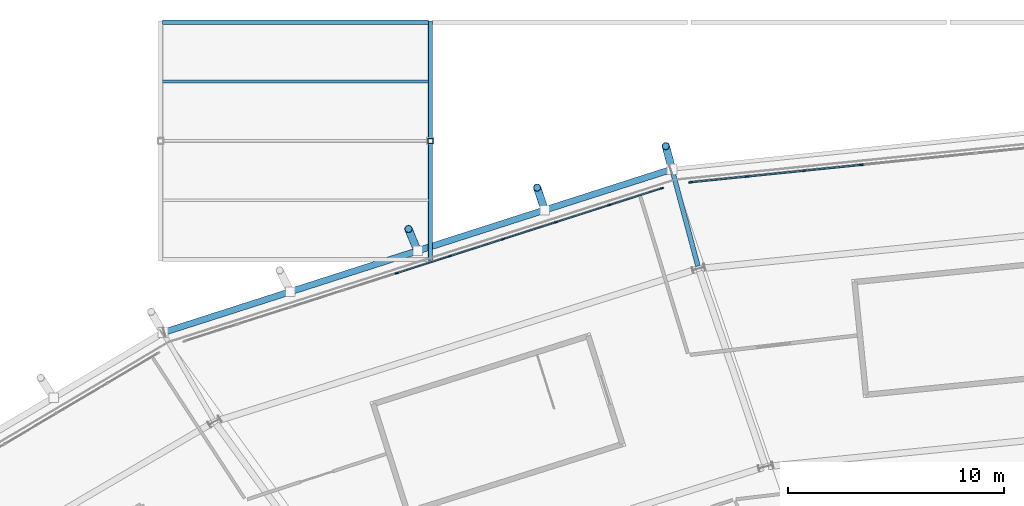
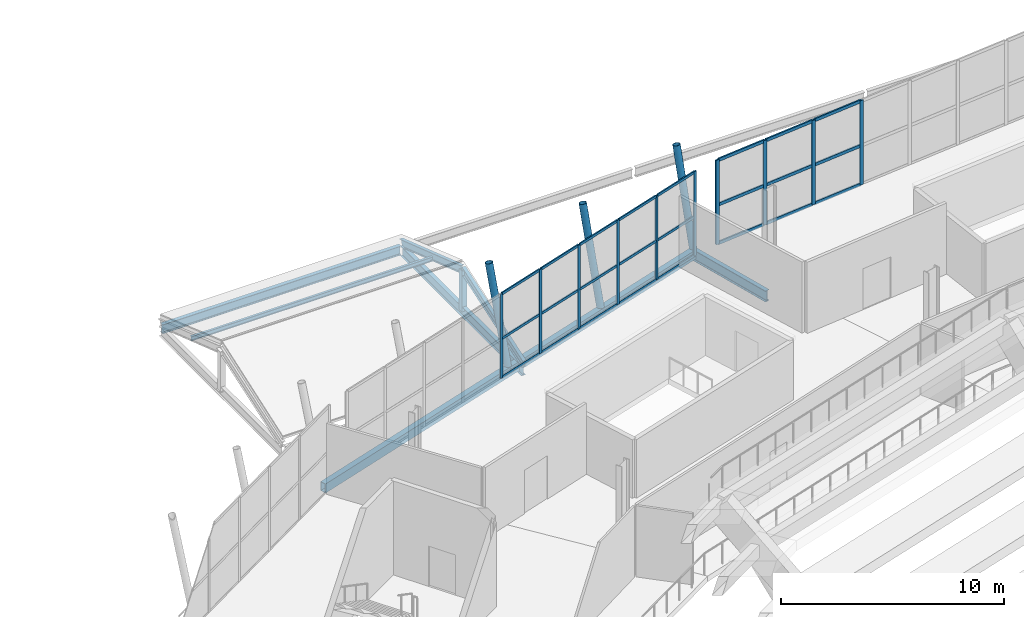
# One storey, part 52 of 126: 41 members, 4 beams, 2 elements without a shape of their own.
"""IFC4 building model written with IfcOpenShell, lengths in metres."""

from ifc_helpers import new_model, si_unit, direction, frame, origin, origin_2d, place, context, subcontext, project, spatial, rectangle, hollow_rectangle, hollow_circle, i_section, extrude, material, material_profile, profile_set, type_object, element, aggregate, save


model = new_model("IFC4")

# Units and contexts
model_context = context("Model", 3, precision=1e-05, world=origin(), true_north=direction((0.0, 1.0)))
body_context = subcontext(model_context, "Body", "Model", "MODEL_VIEW")
ifc_project = project(units=[si_unit("LENGTHUNIT", "METRE"), si_unit("AREAUNIT", "SQUARE_METRE"), si_unit("VOLUMEUNIT", "CUBIC_METRE"), si_unit("PLANEANGLEUNIT", "RADIAN"), si_unit("MASSUNIT", "GRAM", prefix="KILO")], contexts=[model_context])

# Site, building, storey
site_placement = place(None, origin())
site = spatial("IfcSite", under=ifc_project, at=site_placement, CompositionType="ELEMENT")
building_placement = place(site_placement, origin())
building = spatial("IfcBuilding", under=site, at=building_placement, Name="Zlatoyarsky Gate Stadium", CompositionType="ELEMENT")
storey_placement = place(building_placement, frame((0.0, 0.0, 20.800048828125)))
storey = spatial("IfcBuildingStorey", under=building, at=storey_placement, Name="L04", CompositionType="ELEMENT", Elevation=20.800048828125)

# Curtain wall, members
ifc_material_1 = material(Name="Thermally broken anodised aluminium curtain wall", Category="aluminium")
curtain_wall_type_1 = type_object("IfcCurtainWallType", Name="MONUMENTAL ARCHED GATE GLAZING LOWER", PredefinedType="USERDEFINED", material=ifc_material_1)
curtain_wall_1_placement = place(storey_placement, origin())
curtain_wall_1 = element("IfcCurtainWall", 1, at=curtain_wall_1_placement, inside=storey, type_object=curtain_wall_type_1, Name="Curtain wall CW-L04-06", ObjectType="ARCHED GATE GLAZING", PredefinedType="USERDEFINED")
ifc_material_2 = material(Name="Anodised aluminium 6063-T6", Category="aluminium")
ifc_material_profile_1 = material_profile(ifc_material_2, rectangle(XDim=0.074951171875, YDim=0.18994140625, at=origin_2d()), Name="ALU 75X190")
ifc_profile_set_1 = profile_set([ifc_material_profile_1], Name="Anodised aluminium 6063-T6")
member_type_1 = type_object("IfcMemberType", Name="ALUMINIUM GATE MULLION 75X190", PredefinedType="MULLION", material=ifc_profile_set_1)
member_1_placement = place(storey_placement, frame((94.466552734375, 153.38623046875, 0.0), z_axis=(0.0, 0.0, 1.0), x_axis=(0.10129293102, -0.994856644007, 0.0)))
member_1 = element("IfcMember", 2, at=member_1_placement, type_object=member_type_1, Name="CW-AG1 mullion 7", PredefinedType="MULLION", context=body_context, shape_type="SweptSolid", body=[
    extrude(rectangle(XDim=0.074951171875, YDim=0.18994140625, at=origin_2d()), origin(), (0.0, 0.0, 1.0), 4.619873046875),
])
member_2_placement = place(storey_placement, frame((91.81884765625, 153.11669921875, 0.0), z_axis=(0.0, 0.0, 1.0), x_axis=(0.10129293102, -0.994856644007, 0.0)))
member_2 = element("IfcMember", 3, at=member_2_placement, type_object=member_type_1, Name="CW-AG1 mullion 8", PredefinedType="MULLION", context=body_context, shape_type="SweptSolid", body=[
    extrude(rectangle(XDim=0.074951171875, YDim=0.18994140625, at=origin_2d()), origin(), (0.0, 0.0, 1.0), 4.619873046875),
])
member_3_placement = place(storey_placement, frame((89.1708984375, 152.84716796875, 0.0), z_axis=(0.0, 0.0, 1.0), x_axis=(0.10129293102, -0.994856644007, 0.0)))
member_3 = element("IfcMember", 4, at=member_3_placement, type_object=member_type_1, Name="CW-AG1 mullion 9", PredefinedType="MULLION", context=body_context, shape_type="SweptSolid", body=[
    extrude(rectangle(XDim=0.074951171875, YDim=0.18994140625, at=origin_2d()), origin(), (0.0, 0.0, 1.0), 4.619873046875),
])
member_4_placement = place(storey_placement, frame((86.560546875, 152.581298828125, 0.0), z_axis=(0.0, 0.0, 1.0), x_axis=(0.10129293102, -0.994856644007, 0.0)))
member_4 = element("IfcMember", 5, at=member_4_placement, type_object=member_type_1, Name="CW-AG1 mullion 10", PredefinedType="MULLION", context=body_context, shape_type="SweptSolid", body=[
    extrude(rectangle(XDim=0.074951171875, YDim=0.18994140625, at=origin_2d()), origin(), (0.0, 0.0, 1.0), 4.619873046875),
])
ifc_material_profile_2 = material_profile(ifc_material_2, rectangle(XDim=0.074951171875, YDim=0.169921875, at=origin_2d()), Name="ALU 75X170")
ifc_profile_set_2 = profile_set([ifc_material_profile_2], Name="Anodised aluminium 6063-T6")
member_type_2 = type_object("IfcMemberType", Name="ALUMINIUM GATE TRANSOM 75X170", PredefinedType="USERDEFINED", material=ifc_profile_set_2)
member_5_placement = place(storey_placement, frame((94.42919921875, 153.382568359375, 0.037353515625), z_axis=(-0.994847557941, -0.101382130869, 0.0), x_axis=(0.101382130869, -0.994847557941, 0.0)))
member_5 = element("IfcMember", 6, at=member_5_placement, type_object=member_type_2, Name="CW-AG1 transom 7.1", ObjectType="TRANSOM", PredefinedType="USERDEFINED", context=body_context, shape_type="SweptSolid", body=[
    extrude(rectangle(XDim=0.074951171875, YDim=0.169921875, at=origin_2d()), origin(), (0.0, 0.0, 1.0), 2.58642578125),
])
member_6_placement = place(storey_placement, frame((94.42919921875, 153.382568359375, 2.14990234375), z_axis=(-0.994847557941, -0.101382130869, 0.0), x_axis=(0.101382130869, -0.994847557941, 0.0)))
member_6 = element("IfcMember", 7, at=member_6_placement, type_object=member_type_2, Name="CW-AG1 transom 7.2", ObjectType="TRANSOM", PredefinedType="USERDEFINED", context=body_context, shape_type="SweptSolid", body=[
    extrude(rectangle(XDim=0.074951171875, YDim=0.169921875, at=origin_2d()), origin(), (0.0, 0.0, 1.0), 2.58642578125),
])
member_7_placement = place(storey_placement, frame((94.42919921875, 153.382568359375, 4.58251953125), z_axis=(-0.994847557941, -0.101382130869, 0.0), x_axis=(0.101382130869, -0.994847557941, 0.0)))
member_7 = element("IfcMember", 8, at=member_7_placement, type_object=member_type_2, Name="CW-AG1 transom 7.3", ObjectType="TRANSOM", PredefinedType="USERDEFINED", context=body_context, shape_type="SweptSolid", body=[
    extrude(rectangle(XDim=0.074951171875, YDim=0.169921875, at=origin_2d()), origin(), (0.0, 0.0, 1.0), 2.58642578125),
])
member_8_placement = place(storey_placement, frame((91.781494140625, 153.11279296875, 0.037353515625), z_axis=(-0.994858042808, -0.101279191644, 0.0), x_axis=(0.101279191644, -0.994858042808, 0.0)))
member_8 = element("IfcMember", 9, at=member_8_placement, type_object=member_type_2, Name="CW-AG1 transom 8.1", ObjectType="TRANSOM", PredefinedType="USERDEFINED", context=body_context, shape_type="SweptSolid", body=[
    extrude(rectangle(XDim=0.074951171875, YDim=0.169921875, at=origin_2d()), origin(), (0.0, 0.0, 1.0), 2.58642578125),
])
member_9_placement = place(storey_placement, frame((91.781494140625, 153.11279296875, 2.14990234375), z_axis=(-0.994858042808, -0.101279191644, 0.0), x_axis=(0.101279191644, -0.994858042808, 0.0)))
member_9 = element("IfcMember", 10, at=member_9_placement, type_object=member_type_2, Name="CW-AG1 transom 8.2", ObjectType="TRANSOM", PredefinedType="USERDEFINED", context=body_context, shape_type="SweptSolid", body=[
    extrude(rectangle(XDim=0.074951171875, YDim=0.169921875, at=origin_2d()), origin(), (0.0, 0.0, 1.0), 2.58642578125),
])
member_10_placement = place(storey_placement, frame((91.781494140625, 153.11279296875, 4.58251953125), z_axis=(-0.994858042808, -0.101279191644, 0.0), x_axis=(0.101279191644, -0.994858042808, 0.0)))
member_10 = element("IfcMember", 11, at=member_10_placement, type_object=member_type_2, Name="CW-AG1 transom 8.3", ObjectType="TRANSOM", PredefinedType="USERDEFINED", context=body_context, shape_type="SweptSolid", body=[
    extrude(rectangle(XDim=0.074951171875, YDim=0.169921875, at=origin_2d()), origin(), (0.0, 0.0, 1.0), 2.58642578125),
])
member_11_placement = place(storey_placement, frame((89.1337890625, 152.84326171875, 0.037353515625), z_axis=(-0.994862135716, -0.101238979248, 0.0), x_axis=(0.101238979248, -0.994862135716, 0.0)))
member_11 = element("IfcMember", 12, at=member_11_placement, type_object=member_type_2, Name="CW-AG1 transom 9.1", ObjectType="TRANSOM", PredefinedType="USERDEFINED", context=body_context, shape_type="SweptSolid", body=[
    extrude(rectangle(XDim=0.074951171875, YDim=0.169921875, at=origin_2d()), origin(), (0.0, 0.0, 1.0), 2.549072265625),
])
member_12_placement = place(storey_placement, frame((89.1337890625, 152.84326171875, 2.14990234375), z_axis=(-0.994862135716, -0.101238979248, 0.0), x_axis=(0.101238979248, -0.994862135716, 0.0)))
member_12 = element("IfcMember", 13, at=member_12_placement, type_object=member_type_2, Name="CW-AG1 transom 9.2", ObjectType="TRANSOM", PredefinedType="USERDEFINED", context=body_context, shape_type="SweptSolid", body=[
    extrude(rectangle(XDim=0.074951171875, YDim=0.169921875, at=origin_2d()), origin(), (0.0, 0.0, 1.0), 2.549072265625),
])
member_13_placement = place(storey_placement, frame((89.1337890625, 152.84326171875, 4.58251953125), z_axis=(-0.994862135716, -0.101238979248, 0.0), x_axis=(0.101238979248, -0.994862135716, 0.0)))
member_13 = element("IfcMember", 14, at=member_13_placement, type_object=member_type_2, Name="CW-AG1 transom 9.3", ObjectType="TRANSOM", PredefinedType="USERDEFINED", context=body_context, shape_type="SweptSolid", body=[
    extrude(rectangle(XDim=0.074951171875, YDim=0.169921875, at=origin_2d()), origin(), (0.0, 0.0, 1.0), 2.549072265625),
])
aggregate(curtain_wall_1, [member_1, member_2, member_3, member_4, member_5, member_6, member_7, member_8, member_9, member_10, member_11, member_12, member_13])

curtain_wall_type_2 = type_object("IfcCurtainWallType", Name="UNITISED MEDIA RING GLAZING L04", PredefinedType="USERDEFINED", material=ifc_material_1)
curtain_wall_2_placement = place(storey_placement, origin())
curtain_wall_2 = element("IfcCurtainWall", 15, at=curtain_wall_2_placement, inside=storey, type_object=curtain_wall_type_2, Name="Curtain wall CW-L04-07", ObjectType="UNITISED GLAZING", PredefinedType="USERDEFINED")
ifc_material_profile_3 = material_profile(ifc_material_2, rectangle(XDim=0.06494140625, YDim=0.159912109375, at=origin_2d()), Name="ALU 65X160")
ifc_profile_set_3 = profile_set([ifc_material_profile_3], Name="Anodised aluminium 6063-T6")
member_type_3 = type_object("IfcMemberType", Name="ALUMINIUM MULLION 65X160", PredefinedType="MULLION", material=ifc_profile_set_3)
member_14_placement = place(storey_placement, frame((85.2265625, 152.303466796875, 0.0), z_axis=(0.0, 0.0, 1.0), x_axis=(0.305065730928, -0.952331297298, 0.0)))
member_14 = element("IfcMember", 16, at=member_14_placement, type_object=member_type_3, Name="CW-UG4 mullion 1", PredefinedType="MULLION", context=body_context, shape_type="SweptSolid", body=[
    extrude(rectangle(XDim=0.06494140625, YDim=0.159912109375, at=origin_2d()), origin(), (0.0, 0.0, 1.0), 4.619873046875),
])
member_15_placement = place(storey_placement, frame((82.793701171875, 151.524169921875, 0.0), z_axis=(0.0, 0.0, 1.0), x_axis=(0.305065730928, -0.952331297298, 0.0)))
member_15 = element("IfcMember", 17, at=member_15_placement, type_object=member_type_3, Name="CW-UG4 mullion 2", PredefinedType="MULLION", context=body_context, shape_type="SweptSolid", body=[
    extrude(rectangle(XDim=0.06494140625, YDim=0.159912109375, at=origin_2d()), origin(), (0.0, 0.0, 1.0), 4.619873046875),
])
member_16_placement = place(storey_placement, frame((80.330078125, 150.73486328125, 0.0), z_axis=(0.0, 0.0, 1.0), x_axis=(0.305065730928, -0.952331297298, 0.0)))
member_16 = element("IfcMember", 18, at=member_16_placement, type_object=member_type_3, Name="CW-UG4 mullion 3", PredefinedType="MULLION", context=body_context, shape_type="SweptSolid", body=[
    extrude(rectangle(XDim=0.06494140625, YDim=0.159912109375, at=origin_2d()), origin(), (0.0, 0.0, 1.0), 4.619873046875),
])
member_17_placement = place(storey_placement, frame((77.866455078125, 149.94580078125, 0.0), z_axis=(0.0, 0.0, 1.0), x_axis=(0.305065730928, -0.952331297298, 0.0)))
member_17 = element("IfcMember", 19, at=member_17_placement, type_object=member_type_3, Name="CW-UG4 mullion 4", PredefinedType="MULLION", context=body_context, shape_type="SweptSolid", body=[
    extrude(rectangle(XDim=0.06494140625, YDim=0.159912109375, at=origin_2d()), origin(), (0.0, 0.0, 1.0), 4.619873046875),
])
member_18_placement = place(storey_placement, frame((75.402587890625, 149.156494140625, 0.0), z_axis=(0.0, 0.0, 1.0), x_axis=(0.305065730928, -0.952331297298, 0.0)))
member_18 = element("IfcMember", 20, at=member_18_placement, type_object=member_type_3, Name="CW-UG4 mullion 5", PredefinedType="MULLION", context=body_context, shape_type="SweptSolid", body=[
    extrude(rectangle(XDim=0.06494140625, YDim=0.159912109375, at=origin_2d()), origin(), (0.0, 0.0, 1.0), 4.619873046875),
])
member_19_placement = place(storey_placement, frame((72.93896484375, 148.367431640625, 0.0), z_axis=(0.0, 0.0, 1.0), x_axis=(0.305065730928, -0.952331297298, 0.0)))
member_19 = element("IfcMember", 21, at=member_19_placement, type_object=member_type_3, Name="CW-UG4 mullion 6", PredefinedType="MULLION", context=body_context, shape_type="SweptSolid", body=[
    extrude(rectangle(XDim=0.06494140625, YDim=0.159912109375, at=origin_2d()), origin(), (0.0, 0.0, 1.0), 4.619873046875),
])
ifc_material_profile_4 = material_profile(ifc_material_2, rectangle(XDim=0.06494140625, YDim=0.139892578125, at=origin_2d()), Name="ALU 65X140")
ifc_profile_set_4 = profile_set([ifc_material_profile_4], Name="Anodised aluminium 6063-T6")
member_type_4 = type_object("IfcMemberType", Name="ALUMINIUM TRANSOM 65X140", PredefinedType="USERDEFINED", material=ifc_profile_set_4)
member_20_placement = place(storey_placement, frame((85.195556640625, 152.29345703125, 0.032470703125), z_axis=(-0.952353522949, -0.304996339859, 0.0), x_axis=(0.304996339859, -0.952353522949, 0.0)))
member_20 = element("IfcMember", 22, at=member_20_placement, type_object=member_type_4, Name="CW-UG4 transom 1.1", ObjectType="TRANSOM", PredefinedType="USERDEFINED", context=body_context, shape_type="SweptSolid", body=[
    extrude(rectangle(XDim=0.06494140625, YDim=0.139892578125, at=origin_2d()), origin(), (0.0, 0.0, 1.0), 2.489501953125),
])
member_21_placement = place(storey_placement, frame((85.195556640625, 152.29345703125, 2.14990234375), z_axis=(-0.952353522949, -0.304996339859, 0.0), x_axis=(0.304996339859, -0.952353522949, 0.0)))
member_21 = element("IfcMember", 23, at=member_21_placement, type_object=member_type_4, Name="CW-UG4 transom 1.2", ObjectType="TRANSOM", PredefinedType="USERDEFINED", context=body_context, shape_type="SweptSolid", body=[
    extrude(rectangle(XDim=0.06494140625, YDim=0.139892578125, at=origin_2d()), origin(), (0.0, 0.0, 1.0), 2.489501953125),
])
member_22_placement = place(storey_placement, frame((85.195556640625, 152.29345703125, 4.58740234375), z_axis=(-0.952353522949, -0.304996339859, 0.0), x_axis=(0.304996339859, -0.952353522949, 0.0)))
member_22 = element("IfcMember", 24, at=member_22_placement, type_object=member_type_4, Name="CW-UG4 transom 1.3", ObjectType="TRANSOM", PredefinedType="USERDEFINED", context=body_context, shape_type="SweptSolid", body=[
    extrude(rectangle(XDim=0.06494140625, YDim=0.139892578125, at=origin_2d()), origin(), (0.0, 0.0, 1.0), 2.489501953125),
])
member_23_placement = place(storey_placement, frame((82.762939453125, 151.51416015625, 0.032470703125), z_axis=(-0.952344312089, -0.305025099349, 0.0), x_axis=(0.305025099349, -0.952344312089, 0.0)))
member_23 = element("IfcMember", 25, at=member_23_placement, type_object=member_type_4, Name="CW-UG4 transom 2.1", ObjectType="TRANSOM", PredefinedType="USERDEFINED", context=body_context, shape_type="SweptSolid", body=[
    extrude(rectangle(XDim=0.06494140625, YDim=0.139892578125, at=origin_2d()), origin(), (0.0, 0.0, 1.0), 2.52197265625),
])
member_24_placement = place(storey_placement, frame((82.762939453125, 151.51416015625, 2.14990234375), z_axis=(-0.952344312089, -0.305025099349, 0.0), x_axis=(0.305025099349, -0.952344312089, 0.0)))
member_24 = element("IfcMember", 26, at=member_24_placement, type_object=member_type_4, Name="CW-UG4 transom 2.2", ObjectType="TRANSOM", PredefinedType="USERDEFINED", context=body_context, shape_type="SweptSolid", body=[
    extrude(rectangle(XDim=0.06494140625, YDim=0.139892578125, at=origin_2d()), origin(), (0.0, 0.0, 1.0), 2.52197265625),
])
member_25_placement = place(storey_placement, frame((82.762939453125, 151.51416015625, 4.58740234375), z_axis=(-0.952344312089, -0.305025099349, 0.0), x_axis=(0.305025099349, -0.952344312089, 0.0)))
member_25 = element("IfcMember", 27, at=member_25_placement, type_object=member_type_4, Name="CW-UG4 transom 2.3", ObjectType="TRANSOM", PredefinedType="USERDEFINED", context=body_context, shape_type="SweptSolid", body=[
    extrude(rectangle(XDim=0.06494140625, YDim=0.139892578125, at=origin_2d()), origin(), (0.0, 0.0, 1.0), 2.52197265625),
])
member_26_placement = place(storey_placement, frame((80.299072265625, 150.72509765625, 0.032470703125), z_axis=(-0.952307176067, -0.305141020531, 0.0), x_axis=(0.305141020531, -0.952307176067, 0.0)))
member_26 = element("IfcMember", 28, at=member_26_placement, type_object=member_type_4, Name="CW-UG4 transom 3.1", ObjectType="TRANSOM", PredefinedType="USERDEFINED", context=body_context, shape_type="SweptSolid", body=[
    extrude(rectangle(XDim=0.06494140625, YDim=0.139892578125, at=origin_2d()), origin(), (0.0, 0.0, 1.0), 2.52197265625),
])
member_27_placement = place(storey_placement, frame((80.299072265625, 150.72509765625, 2.14990234375), z_axis=(-0.952307176067, -0.305141020531, 0.0), x_axis=(0.305141020531, -0.952307176067, 0.0)))
member_27 = element("IfcMember", 29, at=member_27_placement, type_object=member_type_4, Name="CW-UG4 transom 3.2", ObjectType="TRANSOM", PredefinedType="USERDEFINED", context=body_context, shape_type="SweptSolid", body=[
    extrude(rectangle(XDim=0.06494140625, YDim=0.139892578125, at=origin_2d()), origin(), (0.0, 0.0, 1.0), 2.52197265625),
])
member_28_placement = place(storey_placement, frame((80.299072265625, 150.72509765625, 4.58740234375), z_axis=(-0.952307176067, -0.305141020531, 0.0), x_axis=(0.305141020531, -0.952307176067, 0.0)))
member_28 = element("IfcMember", 30, at=member_28_placement, type_object=member_type_4, Name="CW-UG4 transom 3.3", ObjectType="TRANSOM", PredefinedType="USERDEFINED", context=body_context, shape_type="SweptSolid", body=[
    extrude(rectangle(XDim=0.06494140625, YDim=0.139892578125, at=origin_2d()), origin(), (0.0, 0.0, 1.0), 2.52197265625),
])
member_29_placement = place(storey_placement, frame((77.83544921875, 149.935791015625, 0.032470703125), z_axis=(-0.952344312089, -0.305025099349, 0.0), x_axis=(0.305025099349, -0.952344312089, 0.0)))
member_29 = element("IfcMember", 31, at=member_29_placement, type_object=member_type_4, Name="CW-UG4 transom 4.1", ObjectType="TRANSOM", PredefinedType="USERDEFINED", context=body_context, shape_type="SweptSolid", body=[
    extrude(rectangle(XDim=0.06494140625, YDim=0.139892578125, at=origin_2d()), origin(), (0.0, 0.0, 1.0), 2.52197265625),
])
member_30_placement = place(storey_placement, frame((77.83544921875, 149.935791015625, 2.14990234375), z_axis=(-0.952344312089, -0.305025099349, 0.0), x_axis=(0.305025099349, -0.952344312089, 0.0)))
member_30 = element("IfcMember", 32, at=member_30_placement, type_object=member_type_4, Name="CW-UG4 transom 4.2", ObjectType="TRANSOM", PredefinedType="USERDEFINED", context=body_context, shape_type="SweptSolid", body=[
    extrude(rectangle(XDim=0.06494140625, YDim=0.139892578125, at=origin_2d()), origin(), (0.0, 0.0, 1.0), 2.52197265625),
])
member_31_placement = place(storey_placement, frame((77.83544921875, 149.935791015625, 4.58740234375), z_axis=(-0.952344312089, -0.305025099349, 0.0), x_axis=(0.305025099349, -0.952344312089, 0.0)))
member_31 = element("IfcMember", 33, at=member_31_placement, type_object=member_type_4, Name="CW-UG4 transom 4.3", ObjectType="TRANSOM", PredefinedType="USERDEFINED", context=body_context, shape_type="SweptSolid", body=[
    extrude(rectangle(XDim=0.06494140625, YDim=0.139892578125, at=origin_2d()), origin(), (0.0, 0.0, 1.0), 2.52197265625),
])
member_32_placement = place(storey_placement, frame((75.371826171875, 149.146728515625, 0.032470703125), z_axis=(-0.95231618878, -0.305112891546, 0.0), x_axis=(0.305112891546, -0.95231618878, 0.0)))
member_32 = element("IfcMember", 34, at=member_32_placement, type_object=member_type_4, Name="CW-UG4 transom 5.1", ObjectType="TRANSOM", PredefinedType="USERDEFINED", context=body_context, shape_type="SweptSolid", body=[
    extrude(rectangle(XDim=0.06494140625, YDim=0.139892578125, at=origin_2d()), origin(), (0.0, 0.0, 1.0), 2.522216796875),
])
member_33_placement = place(storey_placement, frame((75.371826171875, 149.146728515625, 2.14990234375), z_axis=(-0.95231618878, -0.305112891546, 0.0), x_axis=(0.305112891546, -0.95231618878, 0.0)))
member_33 = element("IfcMember", 35, at=member_33_placement, type_object=member_type_4, Name="CW-UG4 transom 5.2", ObjectType="TRANSOM", PredefinedType="USERDEFINED", context=body_context, shape_type="SweptSolid", body=[
    extrude(rectangle(XDim=0.06494140625, YDim=0.139892578125, at=origin_2d()), origin(), (0.0, 0.0, 1.0), 2.522216796875),
])
member_34_placement = place(storey_placement, frame((75.371826171875, 149.146728515625, 4.58740234375), z_axis=(-0.95231618878, -0.305112891546, 0.0), x_axis=(0.305112891546, -0.95231618878, 0.0)))
member_34 = element("IfcMember", 36, at=member_34_placement, type_object=member_type_4, Name="CW-UG4 transom 5.3", ObjectType="TRANSOM", PredefinedType="USERDEFINED", context=body_context, shape_type="SweptSolid", body=[
    extrude(rectangle(XDim=0.06494140625, YDim=0.139892578125, at=origin_2d()), origin(), (0.0, 0.0, 1.0), 2.522216796875),
])
aggregate(curtain_wall_2, [member_14, member_15, member_16, member_17, member_18, member_19, member_20, member_21, member_22, member_23, member_24, member_25, member_26, member_27, member_28, member_29, member_30, member_31, member_32, member_33, member_34])

# Beams
ifc_material_3 = material(Name="Steel S355", Category="steel")
ifc_material_profile_5 = material_profile(ifc_material_3, i_section(OverallWidth=0.219970703125, OverallDepth=0.60009765625, WebThickness=0.011962890625, FlangeThickness=0.01904296875, FilletRadius=0.02392578125, at=origin_2d()), Name="IPE 600")
ifc_profile_set_5 = profile_set([ifc_material_profile_5], Name="Steel S355")
beam_type_1 = type_object("IfcBeamType", Name="STEEL CANTILEVER FLOOR BEAM IPE 600", PredefinedType="BEAM", material=ifc_profile_set_5)
beam_1_placement = place(storey_placement, frame((86.898681640625, 148.696533203125, -0.60009765625), z_axis=(-0.258809573134, 0.965928364246, 0.0), x_axis=(-0.965928364246, -0.258809573134, 0.0)))
element("IfcBeam", 37, at=beam_1_placement, inside=storey, type_object=beam_type_1, Name="Beam B-IPE600 BM-L04-OUT-07", PredefinedType="BEAM", context=body_context, shape_type="SweptSolid", body=[
    extrude(i_section(OverallWidth=0.219970703125, OverallDepth=0.60009765625, WebThickness=0.011962890625, FlangeThickness=0.01904296875, FilletRadius=0.02392578125, at=origin_2d()), origin(), (0.0, 0.0, 1.0), 4.649658203125),
])
ifc_material_profile_6 = material_profile(ifc_material_3, i_section(OverallWidth=0.199951171875, OverallDepth=0.5, WebThickness=0.01025390625, FlangeThickness=0.01611328125, FilletRadius=0.02099609375, at=origin_2d()), Name="IPE 500")
ifc_profile_set_6 = profile_set([ifc_material_profile_6], Name="Steel S355")
beam_type_2 = type_object("IfcBeamType", Name="STEEL FLOOR BEAM IPE 500", PredefinedType="BEAM", material=ifc_profile_set_6)
beam_2_placement = place(storey_placement, frame((62.080078125, 160.0, -0.550048828125), z_axis=(1.0, 0.0, 0.0), x_axis=(0.0, 1.0, 0.0)))
element("IfcBeam", 38, at=beam_2_placement, inside=storey, type_object=beam_type_2, Name="Beam B-IPE500 BM-L04-WGX-6-Q", PredefinedType="BEAM", context=body_context, shape_type="SweptSolid", body=[
    extrude(i_section(OverallWidth=0.199951171875, OverallDepth=0.5, WebThickness=0.01025390625, FlangeThickness=0.01611328125, FilletRadius=0.02099609375, at=origin_2d()), origin(), (0.0, 0.0, 1.0), 12.33984375),
])
ifc_material_profile_7 = material_profile(ifc_material_3, i_section(OverallWidth=0.2099609375, OverallDepth=0.550048828125, WebThickness=0.010986328125, FlangeThickness=0.01708984375, FilletRadius=0.02392578125, at=origin_2d()), Name="IPE 550")
ifc_profile_set_7 = profile_set([ifc_material_profile_7], Name="Steel S355")
beam_type_3 = type_object("IfcBeamType", Name="STEEL FLOOR BEAM IPE 550", PredefinedType="BEAM", material=ifc_profile_set_7)
beam_3_placement = place(storey_placement, frame((74.5, 149.080078125, -0.574951171875), z_axis=(0.0, 1.0, 0.0), x_axis=(-1.0, 0.0, 0.0)))
element("IfcBeam", 39, at=beam_3_placement, inside=storey, type_object=beam_type_3, Name="Beam B-IPE550 BM-L04-WGY-7-P", PredefinedType="BEAM", context=body_context, shape_type="SweptSolid", body=[
    extrude(i_section(OverallWidth=0.2099609375, OverallDepth=0.550048828125, WebThickness=0.010986328125, FlangeThickness=0.01708984375, FilletRadius=0.02392578125, at=origin_2d()), origin(), (0.0, 0.0, 1.0), 10.83984375),
])

# Members
ifc_material_profile_8 = material_profile(ifc_material_3, hollow_circle(Radius=0.177734375, WallThickness=0.02001953125, at=origin_2d()), Name="CHS 355.6X20")
ifc_profile_set_8 = profile_set([ifc_material_profile_8], Name="Steel S355")
member_type_5 = type_object("IfcMemberType", Name="STEEL LEANING RIB RING STRUT CHS 355.6X20", PredefinedType="STRUT", material=ifc_profile_set_8)
member_35_placement = place(storey_placement, frame((85.6953125, 153.187744140625, -0.60009765625), z_axis=(-0.05167118686, 0.192876447293, 0.979861604783), x_axis=(-0.965938221939, -0.258772779475, 0.0)))
element("IfcMember", 40, at=member_35_placement, inside=storey, type_object=member_type_5, Name="Leaning ring strut 07 L04 to L05", PredefinedType="STRUT", context=body_context, shape_type="SweptSolid", body=[
    extrude(hollow_circle(Radius=0.177734375, WallThickness=0.02001953125, at=origin_2d()), origin(), (0.0, 0.0, 1.0), 5.5517578125),
])
member_36_placement = place(storey_placement, frame((79.80029296875, 151.29541015625, -0.550048828125), z_axis=(-0.06373698872, 0.187911950182, 0.980115654016), x_axis=(-0.947007602711, -0.321211146144, 0.0)))
element("IfcMember", 41, at=member_36_placement, inside=storey, type_object=member_type_5, Name="Outward-leaning bowl louvre fin rib L04 07-1", PredefinedType="STRUT", context=body_context, shape_type="SweptSolid", body=[
    extrude(hollow_circle(Radius=0.177734375, WallThickness=0.02001953125, at=origin_2d()), origin(), (0.0, 0.0, 1.0), 5.55029296875),
])
member_37_placement = place(storey_placement, frame((73.9052734375, 149.403076171875, -0.550048828125), z_axis=(-0.075751784328, 0.182956835667, 0.980198175602), x_axis=(-0.9239356185, -0.382548000735, 0.0)))
element("IfcMember", 42, at=member_37_placement, inside=storey, type_object=member_type_5, Name="Outward-leaning bowl louvre fin rib L04 07-2", PredefinedType="STRUT", context=body_context, shape_type="SweptSolid", body=[
    extrude(hollow_circle(Radius=0.177734375, WallThickness=0.02001953125, at=origin_2d()), origin(), (0.0, 0.0, 1.0), 5.5498046875),
])

# Beam
ifc_material_profile_9 = material_profile(ifc_material_3, hollow_rectangle(XDim=0.300048828125, YDim=0.5, WallThickness=0.02001953125, at=origin_2d()), Name="RHS 500X300X20")
ifc_profile_set_9 = profile_set([ifc_material_profile_9], Name="Steel S355")
beam_type_4 = type_object("IfcBeamType", Name="STEEL LOUVRE CARRIER SPANDREL RHS 500X300X20", PredefinedType="SPANDREL", material=ifc_profile_set_9)
beam_4_placement = place(storey_placement, frame((85.676513671875, 153.181640625, -0.550048828125), z_axis=(-0.952146534083, -0.305641910794, 0.0), x_axis=(0.305641910794, -0.952146534083, 0.0)))
element("IfcBeam", 43, at=beam_4_placement, inside=storey, type_object=beam_type_4, Name="Beam SP-RHS500 BM-L04-SPD-07", PredefinedType="SPANDREL", context=body_context, shape_type="SweptSolid", body=[
    extrude(hollow_rectangle(XDim=0.300048828125, YDim=0.5, WallThickness=0.02001953125, at=origin_2d()), origin(), (0.0, 0.0, 1.0), 24.725341796875),
])

# Members
ifc_material_profile_10 = material_profile(ifc_material_3, i_section(OverallWidth=0.1201171875, OverallDepth=0.239990234375, WebThickness=0.006103515625, FlangeThickness=0.009765625, FilletRadius=0.014892578125, at=origin_2d()), Name="IPE 240")
ifc_profile_set_10 = profile_set([ifc_material_profile_10], Name="Steel S355")
member_type_6 = type_object("IfcMemberType", Name="STEEL PAVILION ROOF PURLIN IPE 240", PredefinedType="PURLIN", material=ifc_profile_set_10)
member_38_placement = place(storey_placement, frame((62.0, 157.25, 0.594970703125), z_axis=(1.0, 0.0, 0.0), x_axis=(0.0, 1.0, 0.0)))
element("IfcMember", 44, at=member_38_placement, inside=storey, type_object=member_type_6, Name="V2_NORTH_W roof purlin 1N", PredefinedType="PURLIN", context=body_context, shape_type="SweptSolid", body=[
    extrude(i_section(OverallWidth=0.1201171875, OverallDepth=0.239990234375, WebThickness=0.006103515625, FlangeThickness=0.009765625, FilletRadius=0.014892578125, at=origin_2d()), origin(), (0.0, 0.0, 1.0), 12.5),
])
ifc_material_profile_11 = material_profile(ifc_material_3, i_section(OverallWidth=0.179931640625, OverallDepth=0.39990234375, WebThickness=0.008544921875, FlangeThickness=0.013427734375, FilletRadius=0.02099609375, at=origin_2d()), Name="IPE 400")
ifc_profile_set_11 = profile_set([ifc_material_profile_11], Name="Steel S355")
member_type_7 = type_object("IfcMemberType", Name="STEEL PAVILION ROOF RAFTER IPE 400", PredefinedType="RAFTER", material=ifc_profile_set_11)
for number, where, z_axis, x_axis, name in (
    (45, (74.5, 149.0, -0.199951171875), (0.0, 0.946779405011, 0.321883143776), (-1.0, 0.0, 0.0), "V2_NORTH_W roof rafter 2A"),
    (46, (74.5, 160.0, -0.199951171875), (0.0, -0.946779405011, 0.321883143776), (1.0, 0.0, 0.0), "V2_NORTH_W roof rafter 2B"),
):
    element("IfcMember", number, at=place(storey_placement, frame(where, z_axis=z_axis, x_axis=x_axis)), inside=storey, type_object=member_type_7, Name=name, PredefinedType="RAFTER", context=body_context, shape_type="SweptSolid", body=[
        extrude(i_section(OverallWidth=0.179931640625, OverallDepth=0.39990234375, WebThickness=0.008544921875, FlangeThickness=0.013427734375, FilletRadius=0.02099609375, at=origin_2d()), origin(), (0.0, 0.0, 1.0), 5.80908203125),
    ])
ifc_material_profile_12 = material_profile(ifc_material_3, hollow_rectangle(XDim=0.25, YDim=0.25, WallThickness=0.01611328125, at=origin_2d()), Name="SHS 250X250X16")
ifc_profile_set_12 = profile_set([ifc_material_profile_12], Name="Steel S355")
member_type_8 = type_object("IfcMemberType", Name="STEEL PAVILION TRUSS STRUT SHS 250X250X16", PredefinedType="STRUT", material=ifc_profile_set_12)
member_39_placement = place(storey_placement, frame((74.5, 154.5, -0.550048828125), z_axis=(0.0, 0.0, 1.0), x_axis=(1.0, 0.0, 0.0)))
element("IfcMember", 47, at=member_39_placement, inside=storey, type_object=member_type_8, Name="V2_NORTH_W king post strut 2", PredefinedType="STRUT", context=body_context, shape_type="SweptSolid", body=[
    extrude(hollow_rectangle(XDim=0.25, YDim=0.25, WallThickness=0.01611328125, at=origin_2d()), origin(), (0.0, 0.0, 1.0), 2.219970703125),
])

save(model, "model.ifc")
